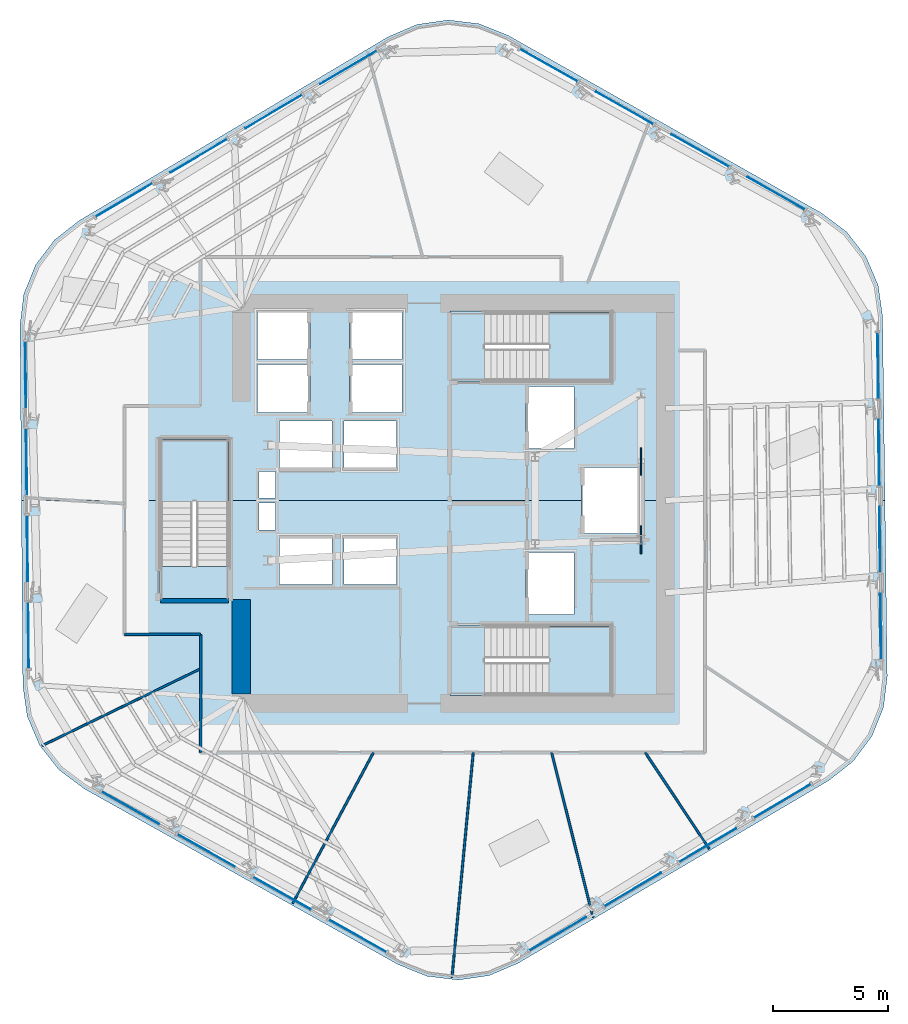
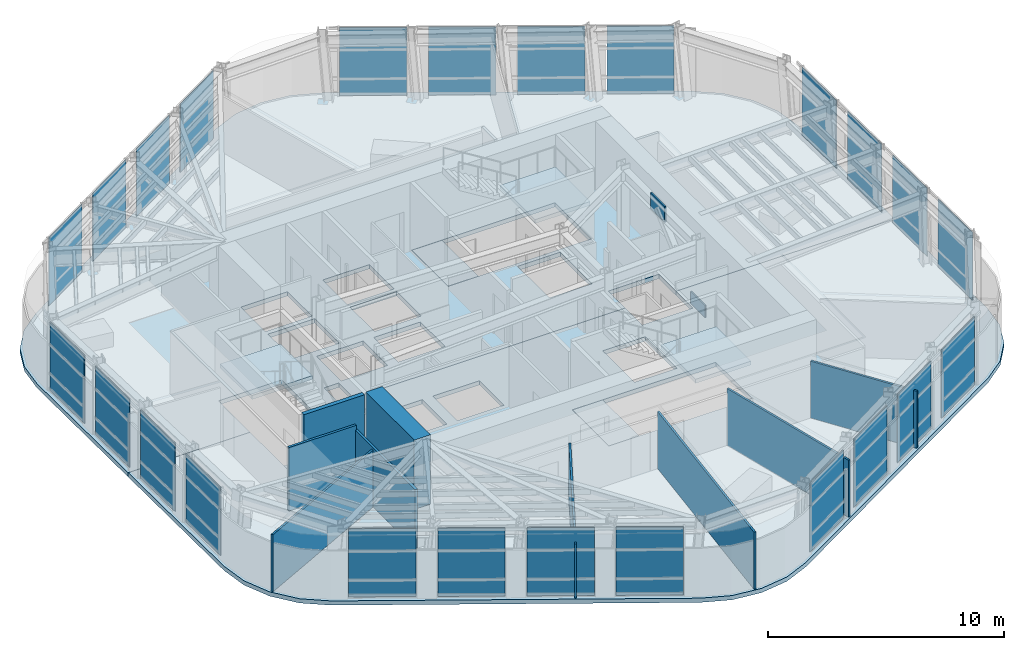
# One storey, part 7 of 16: 26 plates, 9 walls, 8 slabs, 9 elements without a shape of their own.
"""IFC4 building model written with IfcOpenShell, lengths in metres."""

from ifc_helpers import new_model, si_unit, direction, frame, frame_2d, origin, origin_2d, place, context, subcontext, project, spatial, polyline, rectangle, outline, extrude, material, layer, layer_set, type_object, element, aggregate, save


model = new_model("IFC4")

# Units and contexts
model_context = context("Model", 3, precision=1e-05, world=origin(), true_north=direction((0.0, 1.0)))
body_context = subcontext(model_context, "Body", "Model", "MODEL_VIEW")
ifc_project = project(units=[si_unit("LENGTHUNIT", "METRE"), si_unit("AREAUNIT", "SQUARE_METRE"), si_unit("VOLUMEUNIT", "CUBIC_METRE"), si_unit("PLANEANGLEUNIT", "RADIAN"), si_unit("MASSUNIT", "GRAM", prefix="KILO")], contexts=[model_context])

# Site, building, storey
site_placement = place(None, origin())
site = spatial("IfcSite", under=ifc_project, at=site_placement, CompositionType="ELEMENT")
building_placement = place(site_placement, origin())
building = spatial("IfcBuilding", under=site, at=building_placement, Name="Valkerne Bourse Tower", CompositionType="ELEMENT")
storey_placement = place(building_placement, frame((0.0, 0.0, 155.199951171875)))
storey = spatial("IfcBuildingStorey", under=building, at=storey_placement, Name="L39", CompositionType="ELEMENT", Elevation=155.199951171875)

# Curtain wall, plates
ifc_material_1 = material(Name="Aluminium AA 6063-T6", Category="aluminium")
ifc_layer_1 = layer(ifc_material_1, 0.235107421875)
ifc_layer_set_1 = layer_set([ifc_layer_1], Name="Aluminium AA 6063-T6")
curtain_wall_type = type_object("IfcCurtainWallType", Name="CW-03", PredefinedType="NOTDEFINED", material=ifc_layer_set_1)
curtain_wall_1_placement = place(storey_placement, origin())
curtain_wall_1 = element("IfcCurtainWall", 1, at=curtain_wall_1_placement, inside=storey, type_object=curtain_wall_type, Name="L39 Hexagonal Stick Curtain Wall Face 1", PredefinedType="NOTDEFINED")
ifc_material_2 = material(Name="Glass IGU Low-E Double Glazed", Category="glass")
ifc_layer_2 = layer(ifc_material_2, 0.031982421875)
ifc_layer_set_2 = layer_set([ifc_layer_2], Name="Glass IGU Low-E Double Glazed")
plate_type_1 = type_object("IfcPlateType", Name="CW-PNL-IGU-32", PredefinedType="CURTAIN_PANEL", material=ifc_layer_set_2)
plate_1_placement = place(storey_placement, frame((60.801513671875, 40.325927734375, 0.030029296875), z_axis=(0.0, 0.0, 1.0), x_axis=(-0.871216959432, 0.490898166219, 0.0)))
plate_1 = element("IfcPlate", 2, at=plate_1_placement, type_object=plate_type_1, Name="CW-L39-F1 Curtain Panel 00", PredefinedType="CURTAIN_PANEL", context=body_context, shape_type="SweptSolid", body=[
    extrude(rectangle(XDim=2.85107421875, YDim=0.031982421875, at=origin_2d()), origin(), (0.0, 0.0, 1.0), 3.52001953125),
])
plate_2_placement = place(storey_placement, frame((57.51611328125, 42.17724609375, 0.030029296875), z_axis=(0.0, 0.0, 1.0), x_axis=(-0.871210568919, 0.490909507552, 0.0)))
plate_2 = element("IfcPlate", 3, at=plate_2_placement, type_object=plate_type_1, Name="CW-L39-F1 Curtain Panel 01", PredefinedType="CURTAIN_PANEL", context=body_context, shape_type="SweptSolid", body=[
    extrude(rectangle(XDim=2.85107421875, YDim=0.031982421875, at=origin_2d()), origin(), (0.0, 0.0, 1.0), 3.52001953125),
])
plate_3_placement = place(storey_placement, frame((54.230712890625, 44.0283203125, 0.030029296875), z_axis=(0.0, 0.0, 1.0), x_axis=(-0.871216959432, 0.490898166219, 0.0)))
plate_3 = element("IfcPlate", 4, at=plate_3_placement, type_object=plate_type_1, Name="CW-L39-F1 Curtain Panel 02", PredefinedType="CURTAIN_PANEL", context=body_context, shape_type="SweptSolid", body=[
    extrude(rectangle(XDim=2.85107421875, YDim=0.031982421875, at=origin_2d()), origin(), (0.0, 0.0, 1.0), 3.52001953125),
])
plate_4_placement = place(storey_placement, frame((50.945556640625, 45.879638671875, 0.030029296875), z_axis=(0.0, 0.0, 1.0), x_axis=(-0.871210568919, 0.490909507552, 0.0)))
plate_4 = element("IfcPlate", 5, at=plate_4_placement, type_object=plate_type_1, Name="CW-L39-F1 Curtain Panel 03", PredefinedType="CURTAIN_PANEL", context=body_context, shape_type="SweptSolid", body=[
    extrude(rectangle(XDim=2.85107421875, YDim=0.031982421875, at=origin_2d()), origin(), (0.0, 0.0, 1.0), 3.52001953125),
])
aggregate(curtain_wall_1, [plate_1, plate_2, plate_3, plate_4])

curtain_wall_2_placement = place(storey_placement, origin())
curtain_wall_2 = element("IfcCurtainWall", 6, at=curtain_wall_2_placement, inside=storey, type_object=curtain_wall_type, Name="L39 Hexagonal Stick Curtain Wall Face 2", PredefinedType="NOTDEFINED")
plate_5_placement = place(storey_placement, frame((42.260009765625, 45.788818359375, 0.030029296875), z_axis=(0.0, 0.0, 1.0), x_axis=(-0.860744340177, -0.509037504368, 0.0)))
plate_5 = element("IfcPlate", 7, at=plate_5_placement, type_object=plate_type_1, Name="CW-L39-F2 Curtain Panel 00", PredefinedType="CURTAIN_PANEL", context=body_context, shape_type="SweptSolid", body=[
    extrude(rectangle(XDim=2.85107421875, YDim=0.031982421875, at=origin_2d()), origin(), (0.0, 0.0, 1.0), 3.52001953125),
])
plate_6_placement = place(storey_placement, frame((39.01416015625, 43.869140625, 0.030029296875), z_axis=(0.0, 0.0, 1.0), x_axis=(-0.860744340177, -0.509037504368, 0.0)))
plate_6 = element("IfcPlate", 8, at=plate_6_placement, type_object=plate_type_1, Name="CW-L39-F2 Curtain Panel 01", PredefinedType="CURTAIN_PANEL", context=body_context, shape_type="SweptSolid", body=[
    extrude(rectangle(XDim=2.85107421875, YDim=0.031982421875, at=origin_2d()), origin(), (0.0, 0.0, 1.0), 3.52001953125),
])
plate_7_placement = place(storey_placement, frame((35.768310546875, 41.949462890625, 0.030029296875), z_axis=(0.0, 0.0, 1.0), x_axis=(-0.860737468652, -0.509049123424, 0.0)))
plate_7 = element("IfcPlate", 9, at=plate_7_placement, type_object=plate_type_1, Name="CW-L39-F2 Curtain Panel 02", PredefinedType="CURTAIN_PANEL", context=body_context, shape_type="SweptSolid", body=[
    extrude(rectangle(XDim=2.85107421875, YDim=0.031982421875, at=origin_2d()), origin(), (0.0, 0.0, 1.0), 3.52001953125),
])
plate_8_placement = place(storey_placement, frame((32.5224609375, 40.02978515625, 0.030029296875), z_axis=(0.0, 0.0, 1.0), x_axis=(-0.860755958963, -0.509017857358, 0.0)))
plate_8 = element("IfcPlate", 10, at=plate_8_placement, type_object=plate_type_1, Name="CW-L39-F2 Curtain Panel 03", PredefinedType="CURTAIN_PANEL", context=body_context, shape_type="SweptSolid", body=[
    extrude(rectangle(XDim=2.85107421875, YDim=0.031982421875, at=origin_2d()), origin(), (0.0, 0.0, 1.0), 3.52001953125),
])
aggregate(curtain_wall_2, [plate_5, plate_6, plate_7, plate_8])

curtain_wall_3_placement = place(storey_placement, origin())
curtain_wall_3 = element("IfcCurtainWall", 11, at=curtain_wall_3_placement, inside=storey, type_object=curtain_wall_type, Name="L39 Hexagonal Stick Curtain Wall Face 3", PredefinedType="NOTDEFINED")
plate_9_placement = place(storey_placement, frame((28.258544921875, 32.462646484375, 0.030029296875), z_axis=(0.0, 0.0, 1.0), x_axis=(0.010474656038, -0.999945139286, 0.0)))
plate_9 = element("IfcPlate", 12, at=plate_9_placement, type_object=plate_type_1, Name="CW-L39-F3 Curtain Panel 00", PredefinedType="CURTAIN_PANEL", context=body_context, shape_type="SweptSolid", body=[
    extrude(rectangle(XDim=2.85107421875, YDim=0.031982421875, at=origin_2d()), origin(), (0.0, 0.0, 1.0), 3.52001953125),
])
plate_10_placement = place(storey_placement, frame((28.298095703125, 28.69189453125, 0.030029296875), z_axis=(0.0, 0.0, 1.0), x_axis=(0.010474656038, -0.999945139286, 0.0)))
plate_10 = element("IfcPlate", 13, at=plate_10_placement, type_object=plate_type_1, Name="CW-L39-F3 Curtain Panel 01", PredefinedType="CURTAIN_PANEL", context=body_context, shape_type="SweptSolid", body=[
    extrude(rectangle(XDim=2.85107421875, YDim=0.031982421875, at=origin_2d()), origin(), (0.0, 0.0, 1.0), 3.52001953125),
])
plate_11_placement = place(storey_placement, frame((28.337646484375, 24.921142578125, 0.030029296875), z_axis=(0.0, 0.0, 1.0), x_axis=(0.010474656038, -0.999945139286, 0.0)))
plate_11 = element("IfcPlate", 14, at=plate_11_placement, type_object=plate_type_1, Name="CW-L39-F3 Curtain Panel 02", PredefinedType="CURTAIN_PANEL", context=body_context, shape_type="SweptSolid", body=[
    extrude(rectangle(XDim=2.85107421875, YDim=0.031982421875, at=origin_2d()), origin(), (0.0, 0.0, 1.0), 3.52001953125),
])
plate_12_placement = place(storey_placement, frame((28.376953125, 21.150146484375, 0.030029296875), z_axis=(0.0, 0.0, 1.0), x_axis=(0.010448140824, -0.999945416687, 0.0)))
plate_12 = element("IfcPlate", 15, at=plate_12_placement, type_object=plate_type_1, Name="CW-L39-F3 Curtain Panel 03", PredefinedType="CURTAIN_PANEL", context=body_context, shape_type="SweptSolid", body=[
    extrude(rectangle(XDim=2.85107421875, YDim=0.031982421875, at=origin_2d()), origin(), (0.0, 0.0, 1.0), 3.52001953125),
])
aggregate(curtain_wall_3, [plate_9, plate_10, plate_11, plate_12])

curtain_wall_4_placement = place(storey_placement, origin())
curtain_wall_4 = element("IfcCurtainWall", 16, at=curtain_wall_4_placement, inside=storey, type_object=curtain_wall_type, Name="L39 Hexagonal Stick Curtain Wall Face 4", PredefinedType="NOTDEFINED")
plate_13_placement = place(storey_placement, frame((32.798583984375, 13.674072265625, 0.030029296875), z_axis=(0.0, 0.0, 1.0), x_axis=(0.871216959432, -0.490898166219, 0.0)))
plate_13 = element("IfcPlate", 17, at=plate_13_placement, type_object=plate_type_1, Name="CW-L39-F4 Curtain Panel 00", PredefinedType="CURTAIN_PANEL", context=body_context, shape_type="SweptSolid", body=[
    extrude(rectangle(XDim=2.85107421875, YDim=0.031982421875, at=origin_2d()), origin(), (0.0, 0.0, 1.0), 3.52001953125),
])
plate_14_placement = place(storey_placement, frame((36.083740234375, 11.82275390625, 0.030029296875), z_axis=(0.0, 0.0, 1.0), x_axis=(0.871210568919, -0.490909507552, 0.0)))
plate_14 = element("IfcPlate", 18, at=plate_14_placement, type_object=plate_type_1, Name="CW-L39-F4 Curtain Panel 01", PredefinedType="CURTAIN_PANEL", context=body_context, shape_type="SweptSolid", body=[
    extrude(rectangle(XDim=2.85107421875, YDim=0.031982421875, at=origin_2d()), origin(), (0.0, 0.0, 1.0), 3.52001953125),
])
plate_15_placement = place(storey_placement, frame((39.369140625, 9.9716796875, 0.030029296875), z_axis=(0.0, 0.0, 1.0), x_axis=(0.871216959432, -0.490898166219, 0.0)))
plate_15 = element("IfcPlate", 19, at=plate_15_placement, type_object=plate_type_1, Name="CW-L39-F4 Curtain Panel 02", PredefinedType="CURTAIN_PANEL", context=body_context, shape_type="SweptSolid", body=[
    extrude(rectangle(XDim=2.85107421875, YDim=0.031982421875, at=origin_2d()), origin(), (0.0, 0.0, 1.0), 3.52001953125),
])
plate_16_placement = place(storey_placement, frame((42.654541015625, 8.120361328125, 0.030029296875), z_axis=(0.0, 0.0, 1.0), x_axis=(0.871210568919, -0.490909507552, 0.0)))
plate_16 = element("IfcPlate", 20, at=plate_16_placement, type_object=plate_type_1, Name="CW-L39-F4 Curtain Panel 03", PredefinedType="CURTAIN_PANEL", context=body_context, shape_type="SweptSolid", body=[
    extrude(rectangle(XDim=2.85107421875, YDim=0.031982421875, at=origin_2d()), origin(), (0.0, 0.0, 1.0), 3.52001953125),
])
aggregate(curtain_wall_4, [plate_13, plate_14, plate_15, plate_16])

curtain_wall_5_placement = place(storey_placement, origin())
curtain_wall_5 = element("IfcCurtainWall", 21, at=curtain_wall_5_placement, inside=storey, type_object=curtain_wall_type, Name="L39 Hexagonal Stick Curtain Wall Face 5", PredefinedType="NOTDEFINED")
plate_17_placement = place(storey_placement, frame((51.340087890625, 8.211181640625, 0.030029296875), z_axis=(0.0, 0.0, 1.0), x_axis=(0.860744340177, 0.509037504368, 0.0)))
plate_17 = element("IfcPlate", 22, at=plate_17_placement, type_object=plate_type_1, Name="CW-L39-F5 Curtain Panel 00", PredefinedType="CURTAIN_PANEL", context=body_context, shape_type="SweptSolid", body=[
    extrude(rectangle(XDim=2.85107421875, YDim=0.031982421875, at=origin_2d()), origin(), (0.0, 0.0, 1.0), 3.52001953125),
])
plate_18_placement = place(storey_placement, frame((54.585693359375, 10.131103515625, 0.030029296875), z_axis=(0.0, 0.0, 1.0), x_axis=(0.860744340177, 0.509037504368, 0.0)))
plate_18 = element("IfcPlate", 23, at=plate_18_placement, type_object=plate_type_1, Name="CW-L39-F5 Curtain Panel 01", PredefinedType="CURTAIN_PANEL", context=body_context, shape_type="SweptSolid", body=[
    extrude(rectangle(XDim=2.85107421875, YDim=0.031982421875, at=origin_2d()), origin(), (0.0, 0.0, 1.0), 3.52001953125),
])
plate_19_placement = place(storey_placement, frame((57.831787109375, 12.050537109375, 0.030029296875), z_axis=(0.0, 0.0, 1.0), x_axis=(0.860737468652, 0.509049123424, 0.0)))
plate_19 = element("IfcPlate", 24, at=plate_19_placement, type_object=plate_type_1, Name="CW-L39-F5 Curtain Panel 02", PredefinedType="CURTAIN_PANEL", context=body_context, shape_type="SweptSolid", body=[
    extrude(rectangle(XDim=2.85107421875, YDim=0.031982421875, at=origin_2d()), origin(), (0.0, 0.0, 1.0), 3.52001953125),
])
plate_20_placement = place(storey_placement, frame((61.077392578125, 13.97021484375, 0.030029296875), z_axis=(0.0, 0.0, 1.0), x_axis=(0.860755958963, 0.509017857358, 0.0)))
plate_20 = element("IfcPlate", 25, at=plate_20_placement, type_object=plate_type_1, Name="CW-L39-F5 Curtain Panel 03", PredefinedType="CURTAIN_PANEL", context=body_context, shape_type="SweptSolid", body=[
    extrude(rectangle(XDim=2.85107421875, YDim=0.031982421875, at=origin_2d()), origin(), (0.0, 0.0, 1.0), 3.52001953125),
])
aggregate(curtain_wall_5, [plate_17, plate_18, plate_19, plate_20])

curtain_wall_6_placement = place(storey_placement, origin())
curtain_wall_6 = element("IfcCurtainWall", 26, at=curtain_wall_6_placement, inside=storey, type_object=curtain_wall_type, Name="L39 Hexagonal Stick Curtain Wall Face 6", PredefinedType="NOTDEFINED")
plate_21_placement = place(storey_placement, frame((65.341552734375, 21.537353515625, 0.030029296875), z_axis=(0.0, 0.0, 1.0), x_axis=(-0.010474656038, 0.999945139286, 0.0)))
plate_21 = element("IfcPlate", 27, at=plate_21_placement, type_object=plate_type_1, Name="CW-L39-F6 Curtain Panel 00", PredefinedType="CURTAIN_PANEL", context=body_context, shape_type="SweptSolid", body=[
    extrude(rectangle(XDim=2.85107421875, YDim=0.031982421875, at=origin_2d()), origin(), (0.0, 0.0, 1.0), 3.52001953125),
])
plate_22_placement = place(storey_placement, frame((65.302001953125, 25.30810546875, 0.030029296875), z_axis=(0.0, 0.0, 1.0), x_axis=(-0.010474656038, 0.999945139286, 0.0)))
plate_22 = element("IfcPlate", 28, at=plate_22_placement, type_object=plate_type_1, Name="CW-L39-F6 Curtain Panel 01", PredefinedType="CURTAIN_PANEL", context=body_context, shape_type="SweptSolid", body=[
    extrude(rectangle(XDim=2.85107421875, YDim=0.031982421875, at=origin_2d()), origin(), (0.0, 0.0, 1.0), 3.52001953125),
])
plate_23_placement = place(storey_placement, frame((65.262451171875, 29.078857421875, 0.030029296875), z_axis=(0.0, 0.0, 1.0), x_axis=(-0.010474656038, 0.999945139286, 0.0)))
plate_23 = element("IfcPlate", 29, at=plate_23_placement, type_object=plate_type_1, Name="CW-L39-F6 Curtain Panel 02", PredefinedType="CURTAIN_PANEL", context=body_context, shape_type="SweptSolid", body=[
    extrude(rectangle(XDim=2.85107421875, YDim=0.031982421875, at=origin_2d()), origin(), (0.0, 0.0, 1.0), 3.52001953125),
])
plate_24_placement = place(storey_placement, frame((65.222900390625, 32.849853515625, 0.030029296875), z_axis=(0.0, 0.0, 1.0), x_axis=(-0.010448140824, 0.999945416687, 0.0)))
plate_24 = element("IfcPlate", 30, at=plate_24_placement, type_object=plate_type_1, Name="CW-L39-F6 Curtain Panel 03", PredefinedType="CURTAIN_PANEL", context=body_context, shape_type="SweptSolid", body=[
    extrude(rectangle(XDim=2.85107421875, YDim=0.031982421875, at=origin_2d()), origin(), (0.0, 0.0, 1.0), 3.52001953125),
])
aggregate(curtain_wall_6, [plate_21, plate_22, plate_23, plate_24])

# Plates
ifc_material_3 = material(Name="Steel ASTM A572 Grade 50", Category="steel")
ifc_layer_3 = layer(ifc_material_3, 0.06005859375)
ifc_layer_set_3 = layer_set([ifc_layer_3], Name="Steel ASTM A572 Grade 50")
plate_type_2 = type_object("IfcPlateType", Name="PLT-GUS-60", PredefinedType="SHEET", material=ifc_layer_set_3)
for number, where, z_axis, x_axis, name in (
    (31, (54.949951171875, 25.300048828125, -0.18017578125), (0.0, 0.0, 1.0), (0.0, 1.0, 0.0), "L39 Brace Node Gusset Plate PLT-GUS-END-L39-394"),
    (32, (54.949951171875, 28.699951171875, 2.8740234375), (0.0, 0.0, 1.0), (0.0, 1.0, 0.0), "L39 Brace Node Gusset Plate PLT-GUS-END-L39-395"),
):
    element("IfcPlate", number, at=place(storey_placement, frame(where, z_axis=z_axis, x_axis=x_axis)), inside=storey, type_object=plate_type_2, Name=name, PredefinedType="SHEET", context=body_context, shape_type="SweptSolid", body=[
        extrude(rectangle(XDim=1.199951171875, YDim=0.06005859375, at=origin_2d()), origin(), (0.0, 0.0, 1.0), 0.800048828125),
    ])

# Slabs
ifc_material_4 = material(Name="Concrete C40/50", Category="concrete")
ifc_layer_4 = layer(ifc_material_4, 0.25)
ifc_layer_set_4 = layer_set([ifc_layer_4], Name="Concrete C40/50")
slab_type_1 = type_object("IfcSlabType", Name="SLB-RMP-LND-250", PredefinedType="LANDING", material=ifc_layer_set_4)
slab_1_placement = place(storey_placement, frame((0.0, 0.0, -0.219970703125)))
element("IfcSlab", 33, at=slab_1_placement, inside=storey, type_object=slab_type_1, Name="L39 ST-1 Floor Landing Slab", PredefinedType="LANDING", context=body_context, shape_type="SweptSolid", body=[
    extrude(outline(polyline([(46.669921875, 18.5400390625), (48.14990234375, 18.5400390625), (48.14990234375, 21.610107421875), (46.669921875, 21.610107421875), (46.669921875, 18.5400390625)])), origin(), (0.0, 0.0, 1.0), 0.219970703125),
])
slab_2_placement = place(storey_placement, frame((0.0, 0.0, -0.219970703125)))
element("IfcSlab", 34, at=slab_2_placement, inside=storey, type_object=slab_type_1, Name="L39 ST-2 Floor Landing Slab", PredefinedType="LANDING", context=body_context, shape_type="SweptSolid", body=[
    extrude(outline(polyline([(46.669921875, 32.139892578125), (48.14990234375, 32.139892578125), (48.14990234375, 35.2099609375), (46.669921875, 35.2099609375), (46.669921875, 32.139892578125)])), origin(), (0.0, 0.0, 1.0), 0.219970703125),
])
slab_3_placement = place(storey_placement, frame((0.0, 0.0, -0.219970703125)))
element("IfcSlab", 35, at=slab_3_placement, inside=storey, type_object=slab_type_1, Name="L39 ST-3 Floor Landing Slab", PredefinedType="LANDING", context=body_context, shape_type="SweptSolid", body=[
    extrude(outline(polyline([(37.110107421875, 22.669921875), (37.110107421875, 24.14990234375), (34.0400390625, 24.14990234375), (34.0400390625, 22.669921875), (37.110107421875, 22.669921875)])), origin(), (0.0, 0.0, 1.0), 0.219970703125),
])

# Stair, slab
stair_type = type_object("IfcStairType", Name="ST-CORE-1400", PredefinedType="HALF_TURN_STAIR", material=ifc_material_4)
stair_1_placement = place(storey_placement, origin())
stair_1 = element("IfcStair", 36, at=stair_1_placement, inside=storey, type_object=stair_type, Name="L39 ST-1", PredefinedType="HALF_TURN_STAIR")
ifc_layer_5 = layer(ifc_material_4, 0.179931640625)
ifc_layer_set_5 = layer_set([ifc_layer_5], Name="Concrete C40/50")
slab_type_2 = type_object("IfcSlabType", Name="SLB-ST-LND-180", PredefinedType="LANDING", material=ifc_layer_set_5)
slab_4_placement = place(storey_placement, frame((0.0, 0.0, 1.699951171875)))
slab_4 = element("IfcSlab", 37, at=slab_4_placement, type_object=slab_type_2, Name="ST-1 landing 1", PredefinedType="LANDING", context=body_context, shape_type="SweptSolid", body=[
    extrude(outline(polyline([(50.949951171875, 18.60009765625), (53.64990234375, 18.60009765625), (53.64990234375, 21.550048828125), (50.949951171875, 21.550048828125), (50.949951171875, 18.60009765625)])), origin(), (0.0, 0.0, 1.0), 0.2001953125),
])
aggregate(stair_1, [slab_4])

stair_2_placement = place(storey_placement, origin())
stair_2 = element("IfcStair", 38, at=stair_2_placement, inside=storey, type_object=stair_type, Name="L39 ST-2", PredefinedType="HALF_TURN_STAIR")
slab_5_placement = place(storey_placement, frame((0.0, 0.0, 1.699951171875)))
slab_5 = element("IfcSlab", 39, at=slab_5_placement, type_object=slab_type_2, Name="ST-2 landing 1", PredefinedType="LANDING", context=body_context, shape_type="SweptSolid", body=[
    extrude(outline(polyline([(50.949951171875, 32.199951171875), (53.64990234375, 32.199951171875), (53.64990234375, 35.14990234375), (50.949951171875, 35.14990234375), (50.949951171875, 32.199951171875)])), origin(), (0.0, 0.0, 1.0), 0.2001953125),
])
aggregate(stair_2, [slab_5])

stair_3_placement = place(storey_placement, origin())
stair_3 = element("IfcStair", 40, at=stair_3_placement, inside=storey, type_object=stair_type, Name="L39 ST-3", PredefinedType="HALF_TURN_STAIR")
slab_6_placement = place(storey_placement, frame((0.0, 0.0, 1.699951171875)))
slab_6 = element("IfcSlab", 41, at=slab_6_placement, type_object=slab_type_2, Name="ST-3 landing 1", PredefinedType="LANDING", context=body_context, shape_type="SweptSolid", body=[
    extrude(outline(polyline([(37.050048828125, 26.949951171875), (37.050048828125, 29.64990234375), (34.10009765625, 29.64990234375), (34.10009765625, 26.949951171875), (37.050048828125, 26.949951171875)])), origin(), (0.0, 0.0, 1.0), 0.2001953125),
])
aggregate(stair_3, [slab_6])

# Slabs
ifc_layer_6 = layer(ifc_material_4, 0.219970703125)
ifc_layer_set_6 = layer_set([ifc_layer_6], Name="Concrete C40/50")
slab_type_3 = type_object("IfcSlabType", Name="SLB-TOW-220", PredefinedType="FLOOR", material=ifc_layer_set_6)
slab_7_placement = place(storey_placement, frame((0.0, 0.0, -0.219970703125)))
element("IfcSlab", 42, at=slab_7_placement, inside=storey, type_object=slab_type_3, Name="L39 Hexagonal Composite Floor Slab S", PredefinedType="FLOOR", context=body_context, shape_type="SweptSolid", body=[
    extrude(outline(polyline([(65.46435546875, 18.028076171875), (64.9580078125, 16.7685546875), (64.14306640625, 15.682861328125), (63.07470703125, 14.84521484375), (49.6103515625, 6.929443359375), (48.36181640625, 6.39697265625), (47.017822265625, 6.20556640625), (45.670166015625, 6.36865234375), (44.41064453125, 6.875), (30.783447265625, 14.507080078125), (29.69775390625, 15.322265625), (28.860107421875, 16.390380859375), (28.32763671875, 17.63916015625), (28.13623046875, 18.98291015625), (28.072998046875, 27.0), (34.034912109375, 27.0), (34.034912109375, 22.6650390625), (37.114990234375, 22.6650390625), (37.114990234375, 27.0), (52.360107421875, 27.0), (52.360107421875, 25.56005859375), (54.840087890625, 25.56005859375), (54.840087890625, 27.0), (65.52783203125, 27.0), (65.62744140625, 19.37548828125), (65.46435546875, 18.028076171875)]), holes=[polyline([(41.5400390625, 25.43994140625), (39.260009765625, 25.43994140625), (39.260009765625, 23.360107421875), (41.5400390625, 23.360107421875), (41.5400390625, 25.43994140625)]), polyline([(44.340087890625, 25.43994140625), (42.06005859375, 25.43994140625), (42.06005859375, 23.360107421875), (44.340087890625, 23.360107421875), (44.340087890625, 25.43994140625)]), polyline([(39.10009765625, 26.89990234375), (38.3798828125, 26.89990234375), (38.3798828125, 25.72998046875), (39.10009765625, 25.72998046875), (39.10009765625, 26.89990234375)]), polyline([(53.675048828125, 21.614990234375), (46.6650390625, 21.614990234375), (46.6650390625, 18.534912109375), (53.675048828125, 18.534912109375), (53.675048828125, 21.614990234375)]), polyline([(52.0400390625, 24.739990234375), (49.9599609375, 24.739990234375), (49.9599609375, 22.06005859375), (52.0400390625, 22.06005859375), (52.0400390625, 24.739990234375)])]), origin(), (0.0, 0.0, 1.0), 0.219970703125),
])
slab_8_placement = place(storey_placement, frame((0.0, 0.0, -0.219970703125)))
element("IfcSlab", 43, at=slab_8_placement, inside=storey, type_object=slab_type_3, Name="L39 Hexagonal Composite Floor Slab N", PredefinedType="FLOOR", context=body_context, shape_type="SweptSolid", body=[
    extrude(outline(polyline([(28.01318359375, 34.6015625), (28.17626953125, 35.94921875), (28.6826171875, 37.20849609375), (29.497802734375, 38.294189453125), (30.56591796875, 39.1318359375), (43.9892578125, 47.1171875), (45.23779296875, 47.64990234375), (46.581787109375, 47.841064453125), (47.929443359375, 47.677978515625), (49.18896484375, 47.171630859375), (62.776611328125, 39.468994140625), (63.862060546875, 38.654052734375), (64.69970703125, 37.585693359375), (65.232177734375, 36.337158203125), (65.423583984375, 34.9931640625), (65.52783203125, 27.0), (54.840087890625, 27.0), (54.840087890625, 28.43994140625), (52.360107421875, 28.43994140625), (52.360107421875, 27.0), (37.114990234375, 27.0), (37.114990234375, 29.675048828125), (34.034912109375, 29.675048828125), (34.034912109375, 27.0), (28.072998046875, 27.0), (28.01318359375, 34.6015625)]), holes=[polyline([(39.10009765625, 28.27001953125), (38.3798828125, 28.27001953125), (38.3798828125, 27.10009765625), (39.10009765625, 27.10009765625), (39.10009765625, 28.27001953125)]), polyline([(41.5400390625, 30.43994140625), (39.260009765625, 30.43994140625), (39.260009765625, 28.360107421875), (41.5400390625, 28.360107421875), (41.5400390625, 30.43994140625)]), polyline([(40.590087890625, 32.889892578125), (38.31005859375, 32.889892578125), (38.31005859375, 30.81005859375), (40.590087890625, 30.81005859375), (40.590087890625, 32.889892578125)]), polyline([(40.590087890625, 35.18994140625), (38.31005859375, 35.18994140625), (38.31005859375, 33.110107421875), (40.590087890625, 33.110107421875), (40.590087890625, 35.18994140625)]), polyline([(44.340087890625, 30.43994140625), (42.06005859375, 30.43994140625), (42.06005859375, 28.360107421875), (44.340087890625, 28.360107421875), (44.340087890625, 30.43994140625)]), polyline([(52.0400390625, 31.93994140625), (49.9599609375, 31.93994140625), (49.9599609375, 29.260009765625), (52.0400390625, 29.260009765625), (52.0400390625, 31.93994140625)]), polyline([(44.590087890625, 32.889892578125), (42.31005859375, 32.889892578125), (42.31005859375, 30.81005859375), (44.590087890625, 30.81005859375), (44.590087890625, 32.889892578125)]), polyline([(53.675048828125, 35.215087890625), (46.6650390625, 35.215087890625), (46.6650390625, 32.135009765625), (53.675048828125, 32.135009765625), (53.675048828125, 35.215087890625)]), polyline([(44.590087890625, 35.18994140625), (42.31005859375, 35.18994140625), (42.31005859375, 33.110107421875), (44.590087890625, 33.110107421875), (44.590087890625, 35.18994140625)])]), origin(), (0.0, 0.0, 1.0), 0.219970703125),
])

# Walls
ifc_material_5 = material(Name="Concrete C55/67", Category="concrete")
ifc_layer_7 = layer(ifc_material_5, 0.800048828125)
ifc_layer_set_7 = layer_set([ifc_layer_7], Name="Concrete C55/67")
wall_type_1 = type_object("IfcWallType", Name="W-CORE-800", PredefinedType="SHEAR", material=ifc_layer_set_7)
wall_1_placement = place(storey_placement, frame((37.60009765625, 18.60009765625, 0.0), z_axis=(0.0, 0.0, 1.0), x_axis=(0.0, 1.0, 0.0)))
element("IfcWall", 44, at=wall_1_placement, inside=storey, type_object=wall_type_1, Name="L39 Core Shear Wall WEST-S", PredefinedType="SHEAR", context=body_context, shape_type="SweptSolid", body=[
    extrude(rectangle(XDim=4.099853515625, YDim=0.800048828125, at=frame_2d((2.0498046875, 0.0))), origin(), (0.0, 0.0, 1.0), 3.580078125),
])
ifc_material_6 = material(Name="Gypsum Board Steel-Stud Partition", Category="steel")
ifc_layer_8 = layer(ifc_material_6, 0.117919921875)
ifc_layer_set_8 = layer_set([ifc_layer_8], Name="Gypsum Board Steel-Stud Partition")
wall_type_2 = type_object("IfcWallType", Name="W-CORR-140", PredefinedType="PARTITIONING", material=ifc_layer_set_8)
wall_2_placement = place(storey_placement, frame((35.85009765625, 16.080078125, 0.0), z_axis=(0.0, 0.0, 1.0), x_axis=(0.0, 1.0, 0.0)))
element("IfcWall", 45, at=wall_2_placement, inside=storey, type_object=wall_type_2, Name="L39 Corridor Enclosure Wall", PredefinedType="PARTITIONING", context=body_context, shape_type="SweptSolid", body=[
    extrude(rectangle(XDim=5.119873046875, YDim=0.117919921875, at=frame_2d((2.56005859375, 0.0))), origin(), (0.0, 0.0, 1.0), 3.03662109375),
])
wall_3_placement = place(storey_placement, frame((35.85009765625, 21.199951171875, 0.0), z_axis=(0.0, 0.0, 1.0), x_axis=(-1.0, 0.0, 0.0)))
element("IfcWall", 46, at=wall_3_placement, inside=storey, type_object=wall_type_2, Name="L39 Corridor Enclosure Wall", PredefinedType="PARTITIONING", context=body_context, shape_type="SweptSolid", body=[
    extrude(rectangle(XDim=3.300048828125, YDim=0.117919921875, at=frame_2d((1.64990234375, 0.0))), origin(), (0.0, 0.0, 1.0), 3.280029296875),
])
ifc_layer_9 = layer(ifc_material_6, 0.092041015625)
ifc_layer_set_9 = layer_set([ifc_layer_9], Name="Gypsum Board Steel-Stud Partition")
wall_type_3 = type_object("IfcWallType", Name="W-PART-115", PredefinedType="PARTITIONING", material=ifc_layer_set_9)
wall_4_placement = place(storey_placement, frame((47.67138671875, 16.074951171875, 0.0), z_axis=(0.0, 0.0, 1.0), x_axis=(-0.094125523644, -0.995560337598, 0.0)))
element("IfcWall", 47, at=wall_4_placement, inside=storey, type_object=wall_type_3, Name="L39 Suite Partition P01", PredefinedType="PARTITIONING", context=body_context, shape_type="SweptSolid", body=[
    extrude(rectangle(XDim=9.8095703125, YDim=0.092041015625, at=frame_2d((4.90478515625, 0.0))), origin(), (0.0, 0.0, 1.0), 2.942626953125),
])
wall_5_placement = place(storey_placement, frame((51.06787109375, 16.074951171875, 0.0), z_axis=(0.0, 0.0, 1.0), x_axis=(0.243626166586, -0.969869213324, 0.0)))
element("IfcWall", 48, at=wall_5_placement, inside=storey, type_object=wall_type_3, Name="L39 Suite Partition P02", PredefinedType="PARTITIONING", context=body_context, shape_type="SweptSolid", body=[
    extrude(rectangle(XDim=7.37353515625, YDim=0.092041015625, at=frame_2d((3.686767578125, 0.0))), origin(), (0.0, 0.0, 1.0), 2.942626953125),
])
wall_6_placement = place(storey_placement, frame((55.127685546875, 16.074951171875, 0.0), z_axis=(0.0, 0.0, 1.0), x_axis=(0.553410209256, -0.832908842726, 0.0)))
element("IfcWall", 49, at=wall_6_placement, inside=storey, type_object=wall_type_3, Name="L39 Suite Partition P03", PredefinedType="PARTITIONING", context=body_context, shape_type="SweptSolid", body=[
    extrude(rectangle(XDim=5.025146484375, YDim=0.092041015625, at=frame_2d((2.5126953125, 0.0))), origin(), (0.0, 0.0, 1.0), 2.942626953125),
])
wall_7_placement = place(storey_placement, frame((35.844970703125, 19.705810546875, 0.0), z_axis=(0.0, 0.0, 1.0), x_axis=(-0.899534692711, -0.436849329414, 0.0)))
element("IfcWall", 50, at=wall_7_placement, inside=storey, type_object=wall_type_3, Name="L39 Suite Partition P08", PredefinedType="PARTITIONING", context=body_context, shape_type="SweptSolid", body=[
    extrude(rectangle(XDim=7.644775390625, YDim=0.092041015625, at=frame_2d((3.822265625, 0.0))), origin(), (0.0, 0.0, 1.0), 2.942626953125),
])
wall_8_placement = place(storey_placement, frame((43.343994140625, 16.074951171875, 0.0), z_axis=(0.0, 0.0, 1.0), x_axis=(-0.471703893398, -0.881757016957, 0.0)))
element("IfcWall", 51, at=wall_8_placement, inside=storey, type_object=wall_type_3, Name="L39 Suite Partition P09", PredefinedType="PARTITIONING", context=body_context, shape_type="SweptSolid", body=[
    extrude(rectangle(XDim=7.43701171875, YDim=0.092041015625, at=frame_2d((3.718505859375, 0.0))), origin(), (0.0, 0.0, 1.0), 2.800537109375),
])
ifc_layer_10 = layer(ifc_material_4, 0.199951171875)
ifc_layer_set_10 = layer_set([ifc_layer_10], Name="Concrete C40/50")
wall_type_4 = type_object("IfcWallType", Name="W-SHF-200", PredefinedType="SHEAR", material=ifc_layer_set_10)
wall_9_placement = place(storey_placement, frame((34.10009765625, 22.64990234375, 0.0), z_axis=(0.0, 0.0, 1.0), x_axis=(1.0, 0.0, 0.0)))
element("IfcWall", 52, at=wall_9_placement, inside=storey, type_object=wall_type_4, Name="L39 Exit Stair ST-3 Structural Shaft Wall South", PredefinedType="SHEAR", context=body_context, shape_type="SweptSolid", body=[
    extrude(rectangle(XDim=2.949951171875, YDim=0.199951171875, at=frame_2d((1.47509765625, 0.0))), origin(), (0.0, 0.0, 1.0), 3.580078125),
])

save(model, "model.ifc")
